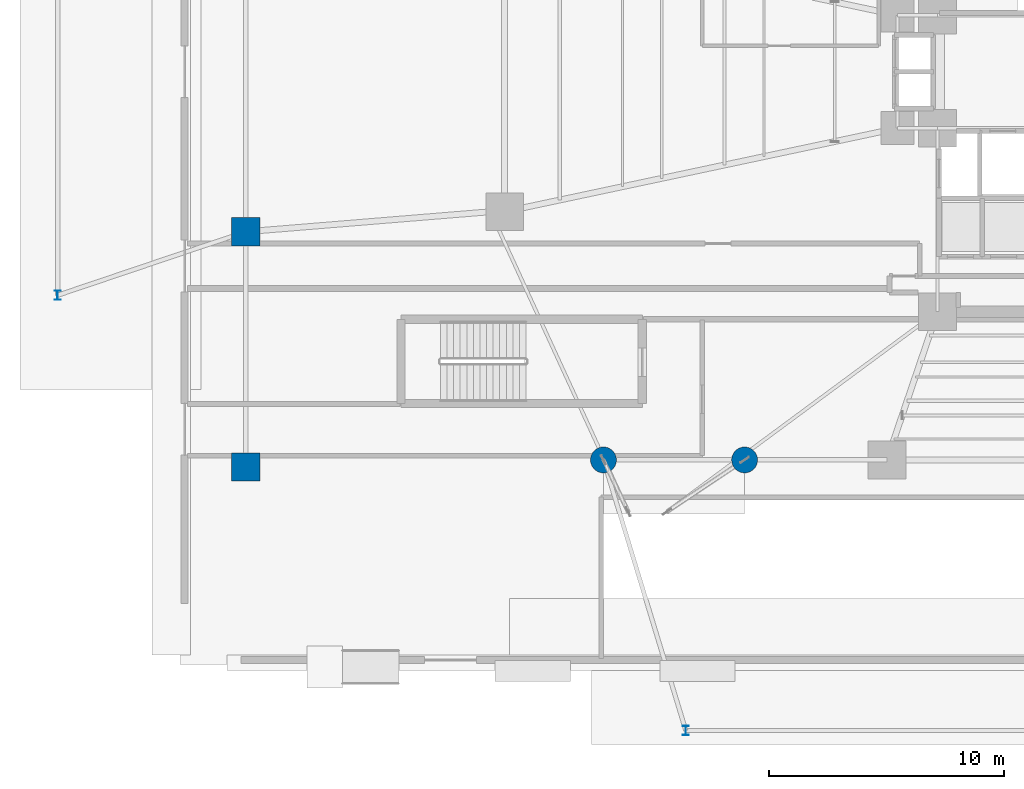
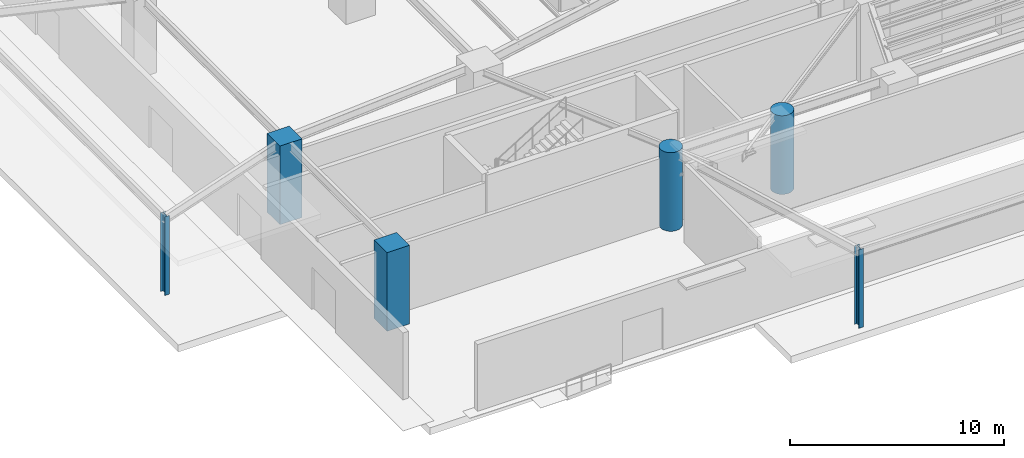
# One storey, part 1 of 31: 6 columns.
"""IFC4 building model written with IfcOpenShell, lengths in metres."""

from ifc_helpers import new_model, si_unit, direction, frame, origin, origin_2d, place, context, subcontext, project, spatial, rectangle, circle, i_section, extrude, source, transform, mapped, material, material_profile, profile_set, type_object, element, save


model = new_model("IFC4")

# Units and contexts
model_context = context("Model", 3, precision=1e-05, world=origin(), true_north=direction((0.0, 1.0)))
body_context = subcontext(model_context, "Body", "Model", "MODEL_VIEW")
ifc_project = project(units=[si_unit("LENGTHUNIT", "METRE"), si_unit("AREAUNIT", "SQUARE_METRE"), si_unit("VOLUMEUNIT", "CUBIC_METRE"), si_unit("PLANEANGLEUNIT", "RADIAN"), si_unit("MASSUNIT", "GRAM", prefix="KILO")], contexts=[model_context])

# Site, building, storey
site_placement = place(None, origin())
site = spatial("IfcSite", under=ifc_project, at=site_placement, CompositionType="ELEMENT")
building_placement = place(site_placement, origin())
building = spatial("IfcBuilding", under=site, at=building_placement, Name="Sahyath Konkavel Grand Hotel", CompositionType="ELEMENT")
storey_placement = place(building_placement, origin())
storey = spatial("IfcBuildingStorey", under=building, at=storey_placement, Name="L00", CompositionType="ELEMENT", Elevation=0.0)

# Columns
ifc_material_1 = material(Name="Concrete C50/60", Category="concrete")
ifc_material_profile_1 = material_profile(ifc_material_1, rectangle(XDim=1.199951171875, YDim=1.199951171875, at=origin_2d()), Name="RC 1200x1200")
ifc_profile_set_1 = profile_set([ifc_material_profile_1], Name="Concrete C50/60")
column_type_1 = type_object("IfcColumnType", Name="COL-RC1200", PredefinedType="COLUMN", material=ifc_profile_set_1)
shared_shape_1 = source(origin(), body_context, "Body", "SweptSolid", [
    extrude(rectangle(XDim=1.199951171875, YDim=1.199951171875, at=origin_2d()), origin(), (0.0, 0.0, 1.0), 4.47998046875),
])
for number, where, z_axis, x_axis, name in (
    (1, (-33.199951171875, -16.800048828125, 0.0), (0.0, 0.0, 1.0), (1.0, 0.0, 0.0), "L00 Podium Perimeter Column PC-W1"),
    (2, (-33.199951171875, -6.800048828125, 0.0), (0.0, 0.0, 1.0), (1.0, 0.0, 0.0), "L00 Podium Perimeter Column PC-W2"),
):
    element("IfcColumn", number, at=place(storey_placement, frame(where, z_axis=z_axis, x_axis=x_axis)), inside=storey, type_object=column_type_1, Name=name, PredefinedType="COLUMN", context=body_context, shape_type="MappedRepresentation", body=[
        mapped(shared_shape_1, transform((0.0, 0.0, 0.0), scale=1.0)),
    ])
ifc_material_2 = material(Name="Concrete C70/85", Category="concrete")
ifc_material_profile_2 = material_profile(ifc_material_2, circle(Radius=0.550048828125, at=origin_2d()), Name="RC D1100")
ifc_profile_set_2 = profile_set([ifc_material_profile_2], Name="Concrete C70/85")
column_type_2 = type_object("IfcColumnType", Name="COL-RCD1100", PredefinedType="COLUMN", material=ifc_profile_set_2)
shared_shape_2 = source(origin(), body_context, "Body", "SweptSolid", [
    extrude(circle(Radius=0.550048828125, at=origin_2d()), origin(), (0.0, 0.0, 1.0), 4.47998046875),
])
for number, where, z_axis, x_axis, name in (
    (3, (-18.0, -16.5, 0.0), (0.0, 0.0, 1.0), (1.0, 0.0, 0.0), "L00 Sandstone Colonnade Pier CL-S1"),
    (4, (-12.0, -16.5, 0.0), (0.0, 0.0, 1.0), (1.0, 0.0, 0.0), "L00 Sandstone Colonnade Pier CL-S2"),
):
    element("IfcColumn", number, at=place(storey_placement, frame(where, z_axis=z_axis, x_axis=x_axis)), inside=storey, type_object=column_type_2, Name=name, PredefinedType="COLUMN", context=body_context, shape_type="MappedRepresentation", body=[
        mapped(shared_shape_2, transform((0.0, 0.0, 0.0), scale=1.0)),
    ])
ifc_material_3 = material(Name="Steel E350", Category="steel")
ifc_material_profile_3 = material_profile(ifc_material_3, i_section(OverallWidth=0.25, OverallDepth=0.39990234375, WebThickness=0.0126953125, FlangeThickness=0.0126953125, FilletRadius=0.013916015625, at=origin_2d()), Name="ISHB 400")
ifc_profile_set_3 = profile_set([ifc_material_profile_3], Name="Steel E350")
column_type_3 = type_object("IfcColumnType", Name="COL-ISHB400", PredefinedType="COLUMN", material=ifc_profile_set_3)
shared_shape_3 = source(origin(), body_context, "Body", "SweptSolid", [
    extrude(i_section(OverallWidth=0.25, OverallDepth=0.39990234375, WebThickness=0.0126953125, FlangeThickness=0.0126953125, FilletRadius=0.013916015625, at=origin_2d()), origin(), (0.0, 0.0, 1.0), 4.47998046875),
])
for number, where, z_axis, x_axis, name in (
    (5, (-41.199951171875, -9.5, 0.0), (0.0, 0.0, 1.0), (1.0, 0.0, 0.0), "L00 Metro Portal Wing Column PW-W1"),
    (6, (-14.5, -28.0, 0.0), (0.0, 0.0, 1.0), (1.0, 0.0, 0.0), "L00 Metro Portal Wing Column PW-S1"),
):
    element("IfcColumn", number, at=place(storey_placement, frame(where, z_axis=z_axis, x_axis=x_axis)), inside=storey, type_object=column_type_3, Name=name, PredefinedType="COLUMN", context=body_context, shape_type="MappedRepresentation", body=[
        mapped(shared_shape_3, transform((0.0, 0.0, 0.0), scale=1.0)),
    ])

save(model, "model.ifc")
